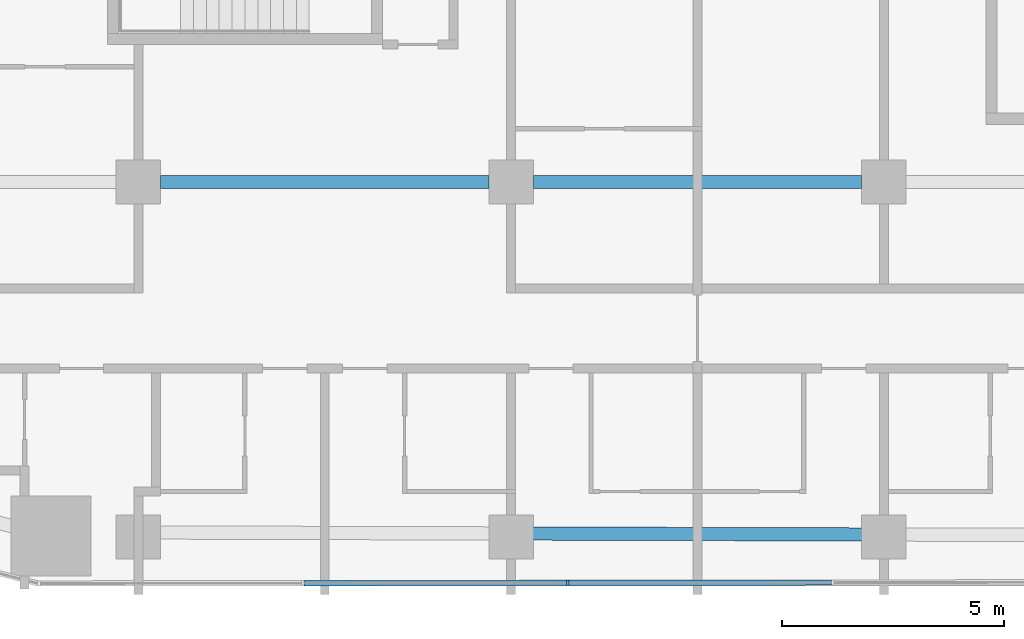
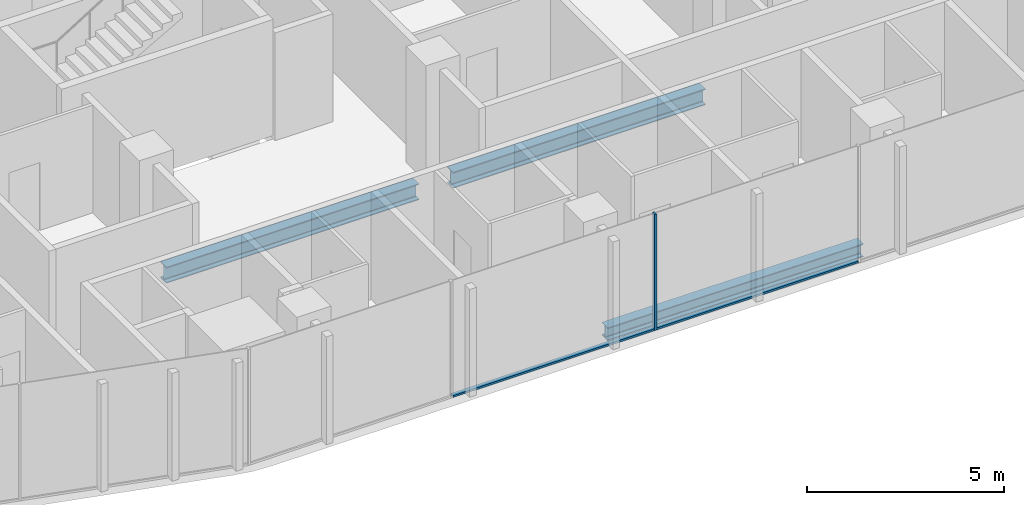
# One storey, part 3 of 26: 3 beams, 3 members, 1 element without a shape of its own.
"""IFC4 building model written with IfcOpenShell, lengths in metres."""

from ifc_helpers import new_model, si_unit, direction, frame, origin, origin_2d, place, context, subcontext, project, spatial, rectangle, i_section, extrude, material, layer, layer_set, material_profile, profile_set, type_object, element, aggregate, save


model = new_model("IFC4")

# Units and contexts
model_context = context("Model", 3, precision=1e-05, world=origin(), true_north=direction((0.0, 1.0)))
body_context = subcontext(model_context, "Body", "Model", "MODEL_VIEW")
ifc_project = project(units=[si_unit("LENGTHUNIT", "METRE"), si_unit("AREAUNIT", "SQUARE_METRE"), si_unit("VOLUMEUNIT", "CUBIC_METRE"), si_unit("PLANEANGLEUNIT", "RADIAN"), si_unit("MASSUNIT", "GRAM", prefix="KILO")], contexts=[model_context])

# Site, building, storey
site_placement = place(None, origin())
site = spatial("IfcSite", under=ifc_project, at=site_placement, CompositionType="ELEMENT")
building_placement = place(site_placement, origin())
building = spatial("IfcBuilding", under=site, at=building_placement, Name="Marenta Gate Hotel Tower", CompositionType="ELEMENT")
storey_placement = place(building_placement, frame((0.0, 0.0, 43.699951171875)))
storey = spatial("IfcBuildingStorey", under=building, at=storey_placement, Name="L08", CompositionType="ELEMENT", Elevation=43.699951171875)

# Beams
ifc_material_1 = material(Name="Steel S355", Category="steel")
ifc_material_profile_1 = material_profile(ifc_material_1, i_section(OverallWidth=0.300048828125, OverallDepth=0.39990234375, WebThickness=0.013427734375, FlangeThickness=0.02392578125, FilletRadius=0.027099609375, at=origin_2d()), Name="HEB 400")
ifc_profile_set_1 = profile_set([ifc_material_profile_1], Name="Steel S355")
beam_type_1 = type_object("IfcBeamType", Name="Edge beam HEB 400", PredefinedType="SPANDREL", material=ifc_profile_set_1)
beam_1_placement = place(storey_placement, frame((3.739990234375, -16.3427734375, -0.4599609375), z_axis=(-0.99999624158, 0.002741683018, 0.0), x_axis=(-0.002741683018, -0.99999624158, 0.0)))
element("IfcBeam", 1, at=beam_1_placement, inside=storey, type_object=beam_type_1, Name="L08-EB-33", PredefinedType="SPANDREL", context=body_context, shape_type="SweptSolid", body=[
    extrude(i_section(OverallWidth=0.300048828125, OverallDepth=0.39990234375, WebThickness=0.013427734375, FlangeThickness=0.02392578125, FilletRadius=0.027099609375, at=origin_2d()), origin(), (0.0, 0.0, 1.0), 7.47998046875),
])
ifc_material_2 = material(Name="Steel S355", Category="steel")
ifc_material_profile_2 = material_profile(ifc_material_2, i_section(OverallWidth=0.300048828125, OverallDepth=0.5, WebThickness=0.014404296875, FlangeThickness=0.028076171875, FilletRadius=0.027099609375, at=origin_2d()), Name="HEB 500")
ifc_profile_set_2 = profile_set([ifc_material_profile_2], Name="Steel S355")
beam_type_2 = type_object("IfcBeamType", Name="Girder HEB 500", PredefinedType="BEAM", material=ifc_profile_set_2)
beam_2_placement = place(storey_placement, frame((-12.10009765625, -8.39990234375, -0.510009765625), z_axis=(1.0, 0.0, 0.0), x_axis=(0.0, 1.0, 0.0)))
element("IfcBeam", 2, at=beam_2_placement, inside=storey, type_object=beam_type_2, Name="L08-GD-3", PredefinedType="BEAM", context=body_context, shape_type="SweptSolid", body=[
    extrude(i_section(OverallWidth=0.300048828125, OverallDepth=0.5, WebThickness=0.014404296875, FlangeThickness=0.028076171875, FilletRadius=0.027099609375, at=origin_2d()), origin(), (0.0, 0.0, 1.0), 7.400146484375),
])
beam_3_placement = place(storey_placement, frame((-3.699951171875, -8.39990234375, -0.510009765625), z_axis=(1.0, 0.0, 0.0), x_axis=(0.0, 1.0, 0.0)))
element("IfcBeam", 3, at=beam_3_placement, inside=storey, type_object=beam_type_2, Name="L08-GD-4", PredefinedType="BEAM", context=body_context, shape_type="SweptSolid", body=[
    extrude(i_section(OverallWidth=0.300048828125, OverallDepth=0.5, WebThickness=0.014404296875, FlangeThickness=0.028076171875, FilletRadius=0.027099609375, at=origin_2d()), origin(), (0.0, 0.0, 1.0), 7.39990234375),
])

# Curtain wall, members
ifc_material_3 = material(Name="Tinted insulated glass in bronze anodised frame", Category="glass")
ifc_layer = layer(ifc_material_3, 0.1201171875)
ifc_layer_set = layer_set([ifc_layer], Name="Tinted insulated glass in bronze anodised frame")
curtain_wall_type = type_object("IfcCurtainWallType", Name="Tower unitised curtain wall CW1", PredefinedType="NOTDEFINED", material=ifc_layer_set)
curtain_wall_placement = place(storey_placement, origin())
curtain_wall = element("IfcCurtainWall", 4, at=curtain_wall_placement, inside=storey, type_object=curtain_wall_type, Name="CW1 run G07", PredefinedType="NOTDEFINED")
ifc_material_4 = material(Name="Bronze anodised aluminium", Category="aluminium")
ifc_material_profile_3 = material_profile(ifc_material_4, rectangle(XDim=0.1201171875, YDim=0.06005859375, at=origin_2d()), Name="Mullion CW1 60x120 bronze anodised aluminium")
ifc_profile_set_3 = profile_set([ifc_material_profile_3], Name="Bronze anodised aluminium")
member_type_1 = type_object("IfcMemberType", Name="Mullion CW1 60x120 bronze anodised aluminium", PredefinedType="MULLION", material=ifc_profile_set_3)
member_1_placement = place(storey_placement, frame((-2.9248046875, -17.433837890625, 0.0), z_axis=(0.0, 0.0, 1.0), x_axis=(-0.001161921639, 0.999999324969, 0.0)))
member_1 = element("IfcMember", 5, at=member_1_placement, type_object=member_type_1, Name="CW1 mullion 3", PredefinedType="MULLION", context=body_context, shape_type="SweptSolid", body=[
    extrude(rectangle(XDim=0.1201171875, YDim=0.06005859375, at=origin_2d()), origin(), (0.0, 0.0, 1.0), 3.60009765625),
])
ifc_material_5 = material(Name="Bronze anodised aluminium", Category="aluminium")
ifc_material_profile_4 = material_profile(ifc_material_5, rectangle(XDim=0.1201171875, YDim=0.06005859375, at=origin_2d()), Name="Transom CW1 60x120 bronze anodised aluminium")
ifc_profile_set_4 = profile_set([ifc_material_profile_4], Name="Bronze anodised aluminium")
member_type_2 = type_object("IfcMemberType", Name="Transom CW1 60x120 bronze anodised aluminium", PredefinedType="USERDEFINED", material=ifc_profile_set_4)
member_2_placement = place(storey_placement, frame((-8.86767578125, -17.44091796875, 0.030029296875), z_axis=(0.999999283109, 0.001197406136, 0.0), x_axis=(-0.001197406136, 0.999999283109, 0.0)))
member_2 = element("IfcMember", 6, at=member_2_placement, type_object=member_type_2, Name="CW1 transom 2.1", ObjectType="TRANSOM", PredefinedType="USERDEFINED", context=body_context, shape_type="SweptSolid", body=[
    extrude(rectangle(XDim=0.1201171875, YDim=0.06005859375, at=origin_2d()), origin(), (0.0, 0.0, 1.0), 5.912841796875),
])
member_3_placement = place(storey_placement, frame((-2.894775390625, -17.433837890625, 0.030029296875), z_axis=(0.999999331697, 0.001156116326, 0.0), x_axis=(-0.001156116326, 0.999999331697, 0.0)))
member_3 = element("IfcMember", 7, at=member_3_placement, type_object=member_type_2, Name="CW1 transom 3.1", ObjectType="TRANSOM", PredefinedType="USERDEFINED", context=body_context, shape_type="SweptSolid", body=[
    extrude(rectangle(XDim=0.1201171875, YDim=0.06005859375, at=origin_2d()), origin(), (0.0, 0.0, 1.0), 5.912841796875),
])
aggregate(curtain_wall, [member_1, member_2, member_3])

save(model, "model.ifc")
